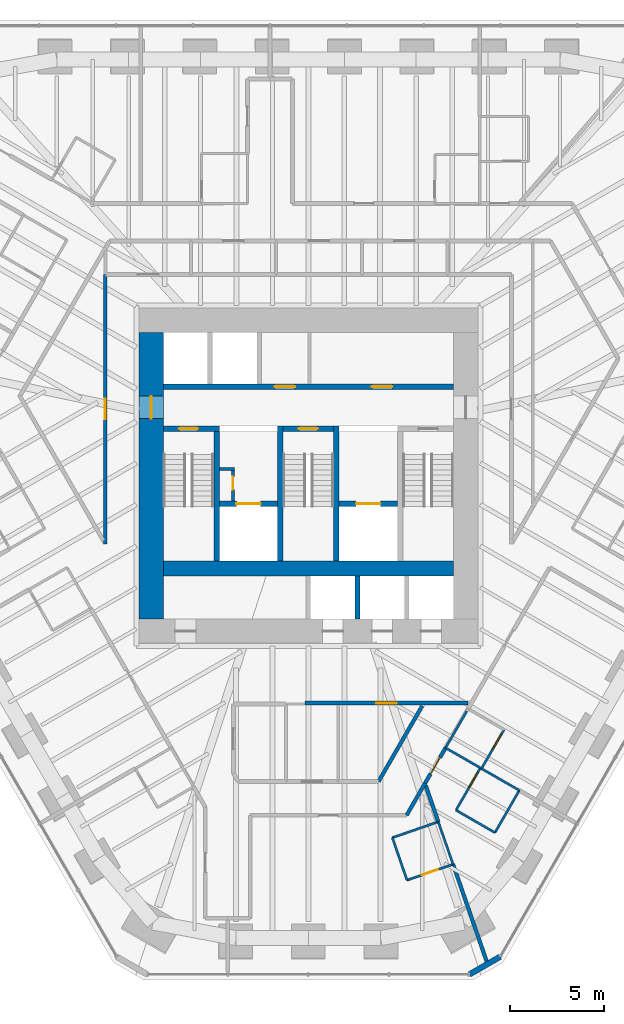
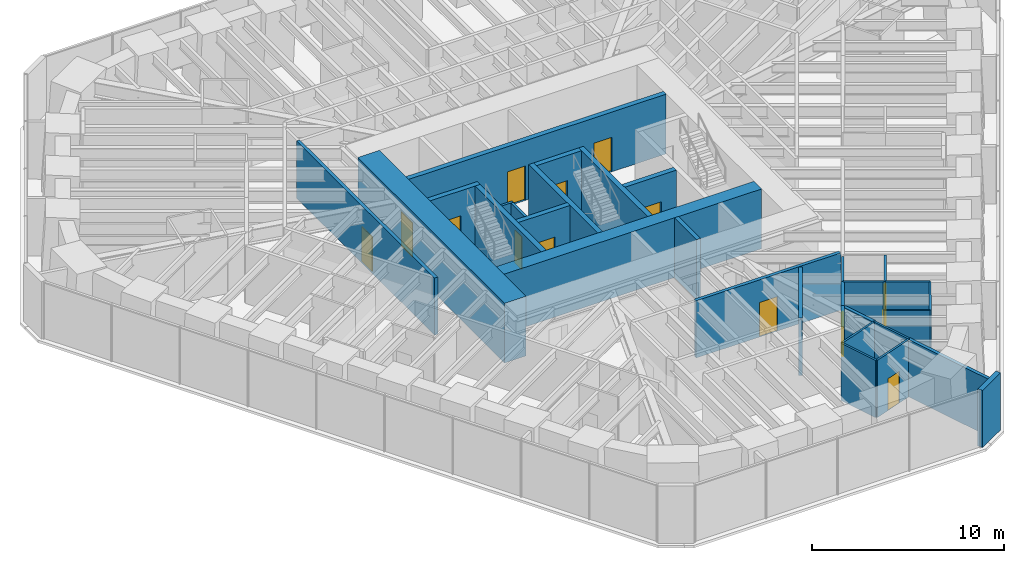
# One storey, part 12 of 18: 32 walls, 14 doors, 14 openings.
"""IFC4 building model written with IfcOpenShell, lengths in metres."""

from ifc_helpers import new_model, si_unit, direction, frame, frame_2d, origin, place, context, subcontext, project, spatial, rectangle, extrude, material, layer, layer_set, type_object, element, fill, save


model = new_model("IFC4")

# Units and contexts
model_context = context("Model", 3, precision=1e-05, world=origin(), true_north=direction((0.0, 1.0)))
body_context = subcontext(model_context, "Body", "Model", "MODEL_VIEW")
ifc_project = project(units=[si_unit("LENGTHUNIT", "METRE"), si_unit("AREAUNIT", "SQUARE_METRE"), si_unit("VOLUMEUNIT", "CUBIC_METRE"), si_unit("PLANEANGLEUNIT", "RADIAN"), si_unit("MASSUNIT", "GRAM", prefix="KILO")], contexts=[model_context])

# Site, building, storey
site_placement = place(None, origin())
site = spatial("IfcSite", under=ifc_project, at=site_placement, CompositionType="ELEMENT")
building_placement = place(site_placement, origin())
building = spatial("IfcBuilding", under=site, at=building_placement, Name="Sandreach Pilgrim Tower", CompositionType="ELEMENT")
storey_placement = place(building_placement, frame((0.0, 0.0, 157.60009765625)))
storey = spatial("IfcBuildingStorey", under=building, at=storey_placement, Name="L39", CompositionType="ELEMENT", Elevation=157.60009765625)

# Wall
ifc_material_1 = material(Name="Moisture-resistant gypsum board on steel studs", Category="steel")
ifc_layer_1 = layer(ifc_material_1, 0.1201171875)
ifc_layer_set_1 = layer_set([ifc_layer_1], Name="Bathroom partition 120")
wall_type_1 = type_object("IfcWallType", Name="Bathroom partition 120", PredefinedType="PARTITIONING", material=ifc_layer_set_1)
wall_1_placement = place(storey_placement, frame((4.489990234375, -20.889892578125, 0.0), z_axis=(0.0, 0.0, 1.0), x_axis=(0.324971746724, -0.945723724896, 0.0)))
element("IfcWall", 1, at=wall_1_placement, inside=storey, type_object=wall_type_1, Name="Bathroom partition L39-088", PredefinedType="PARTITIONING", context=body_context, shape_type="SweptSolid", body=[
    extrude(rectangle(XDim=2.400390625, YDim=0.1201171875, at=frame_2d((1.2001953125, 0.0))), origin(), (0.0, 0.0, 1.0), 3.639892578125),
])

# Wall, opening, door
wall_2_placement = place(storey_placement, frame((5.27001953125, -23.159912109375, 0.0), z_axis=(0.0, 0.0, 1.0), x_axis=(0.945184415197, 0.326537013627, 0.0)))
wall_2 = element("IfcWall", 2, at=wall_2_placement, inside=storey, type_object=wall_type_1, Name="Bathroom partition L39-090", PredefinedType="PARTITIONING", context=body_context, shape_type="SweptSolid", body=[
    extrude(rectangle(XDim=2.6025390625, YDim=0.1201171875, at=frame_2d((1.30126953125, 0.0))), origin(), (0.0, 0.0, 1.0), 3.639892578125),
])
opening_1_placement = place(wall_2_placement, frame((0.85009765625, 0.0, 0.0)))
opening_1 = element("IfcOpeningElement", 3, at=opening_1_placement, cuts=wall_2, Name="Opening D09-10B", PredefinedType="OPENING", context=body_context, shape_type="SweptSolid", body=[
    extrude(rectangle(XDim=0.89990234375, YDim=2.030029296875, at=frame_2d((0.449951171875, 1.01513671875))), frame((0.0, 0.06005859375, 0.0), z_axis=(0.0, -1.0, 0.0), x_axis=(1.0, 0.0, 0.0)), (0.0, 0.0, 1.0), 0.1201171875),
])
ifc_material_2 = material(Name="Timber door, steel frame", Category="steel")
door_type_1 = type_object("IfcDoorType", Name="Bathroom door", OperationType="SINGLE_SWING_LEFT", PredefinedType="DOOR", material=ifc_material_2)
door_1_placement = place(opening_1_placement, origin())
door_1 = element("IfcDoor", 4, at=door_1_placement, inside=storey, type_object=door_type_1, Name="Door 3910B", OperationType="SINGLE_SWING_LEFT", OverallHeight=2.030029296875, OverallWidth=0.89990234375, PredefinedType="DOOR", context=body_context, shape_type="SweptSolid", body=[
    extrude(rectangle(XDim=0.89990234375, YDim=2.030029296875, at=frame_2d((0.449951171875, 1.01513671875))), frame((0.0, 0.02490234375, 0.0), z_axis=(0.0, -1.0, 0.0), x_axis=(1.0, 0.0, 0.0)), (0.0, 0.0, 1.0), 0.050048828125),
])
fill(opening_1, door_1)

# Walls
wall_3_placement = place(storey_placement, frame((6.93994140625, -20.0400390625, 0.0), z_axis=(0.0, 0.0, 1.0), x_axis=(-0.944772080486, -0.327728112822, 0.0)))
element("IfcWall", 5, at=wall_3_placement, inside=storey, type_object=wall_type_1, Name="Bathroom partition L39-096", PredefinedType="PARTITIONING", context=body_context, shape_type="SweptSolid", body=[
    extrude(rectangle(XDim=2.59326171875, YDim=0.1201171875, at=frame_2d((1.296630859375, 0.0))), origin(), (0.0, 0.0, 1.0), 3.639892578125),
])
wall_4_placement = place(storey_placement, frame((6.93994140625, -20.0400390625, 0.0), z_axis=(0.0, 0.0, 1.0), x_axis=(0.328693963496, -0.944436487203, 0.0)))
element("IfcWall", 6, at=wall_4_placement, inside=storey, type_object=wall_type_1, Name="Bathroom partition L39-097", PredefinedType="PARTITIONING", context=body_context, shape_type="SweptSolid", body=[
    extrude(rectangle(XDim=2.403564453125, YDim=0.1201171875, at=frame_2d((1.20166015625, 0.0))), origin(), (0.0, 0.0, 1.0), 3.639892578125),
])
wall_5_placement = place(storey_placement, frame((7.330078125, -16.090087890625, 0.0), z_axis=(0.0, 0.0, 1.0), x_axis=(0.500786797394, 0.865570669302, 0.0)))
element("IfcWall", 7, at=wall_5_placement, inside=storey, type_object=wall_type_1, Name="Bathroom partition L39-098", PredefinedType="PARTITIONING", context=body_context, shape_type="SweptSolid", body=[
    extrude(rectangle(XDim=2.276123046875, YDim=0.1201171875, at=frame_2d((1.13818359375, 0.0))), origin(), (0.0, 0.0, 1.0), 3.639892578125),
])
wall_6_placement = place(storey_placement, frame((7.330078125, -16.090087890625, 0.0), z_axis=(0.0, 0.0, 1.0), x_axis=(0.866825160608, -0.498612214989, 0.0)))
element("IfcWall", 8, at=wall_6_placement, inside=storey, type_object=wall_type_1, Name="Bathroom partition L39-099", PredefinedType="PARTITIONING", context=body_context, shape_type="SweptSolid", body=[
    extrude(rectangle(XDim=2.1455078125, YDim=0.1201171875, at=frame_2d((1.07275390625, 0.0))), origin(), (0.0, 0.0, 1.0), 3.639892578125),
])
wall_7_placement = place(storey_placement, frame((7.889892578125, -19.419921875, 0.0), z_axis=(0.0, 0.0, 1.0), x_axis=(0.866202511239, -0.499693115345, 0.0)))
element("IfcWall", 9, at=wall_7_placement, inside=storey, type_object=wall_type_1, Name="Bathroom partition L39-104", PredefinedType="PARTITIONING", context=body_context, shape_type="SweptSolid", body=[
    extrude(rectangle(XDim=2.4013671875, YDim=0.1201171875, at=frame_2d((1.20068359375, 0.0))), origin(), (0.0, 0.0, 1.0), 3.639892578125),
])

# Wall, opening, door
wall_8_placement = place(storey_placement, frame((9.18994140625, -17.159912109375, 0.0), z_axis=(0.0, 0.0, 1.0), x_axis=(-0.498627694264, -0.866816256489, 0.0)))
wall_8 = element("IfcWall", 10, at=wall_8_placement, inside=storey, type_object=wall_type_1, Name="Bathroom partition L39-115", PredefinedType="PARTITIONING", context=body_context, shape_type="SweptSolid", body=[
    extrude(rectangle(XDim=2.607177734375, YDim=0.1201171875, at=frame_2d((1.3037109375, 0.0))), origin(), (0.0, 0.0, 1.0), 3.639892578125),
])
opening_2_placement = place(wall_8_placement, frame((0.300048828125, 0.0, 0.0)))
opening_2 = element("IfcOpeningElement", 11, at=opening_2_placement, cuts=wall_8, Name="Opening D09-09B", PredefinedType="OPENING", context=body_context, shape_type="SweptSolid", body=[
    extrude(rectangle(XDim=0.89990234375, YDim=2.030029296875, at=frame_2d((0.449951171875, 1.01513671875))), frame((0.0, 0.06005859375, 0.0), z_axis=(0.0, -1.0, 0.0), x_axis=(1.0, 0.0, 0.0)), (0.0, 0.0, 1.0), 0.1201171875),
])
door_2_placement = place(opening_2_placement, origin())
door_2 = element("IfcDoor", 12, at=door_2_placement, inside=storey, type_object=door_type_1, Name="Door 3909B", OperationType="SINGLE_SWING_LEFT", OverallHeight=2.030029296875, OverallWidth=0.89990234375, PredefinedType="DOOR", context=body_context, shape_type="SweptSolid", body=[
    extrude(rectangle(XDim=0.89990234375, YDim=2.030029296875, at=frame_2d((0.449951171875, 1.01513671875))), frame((0.0, 0.02490234375, 0.0), z_axis=(0.0, -1.0, 0.0), x_axis=(1.0, 0.0, 0.0)), (0.0, 0.0, 1.0), 0.050048828125),
])
fill(opening_2, door_2)

wall_9_placement = place(storey_placement, frame((9.25, -17.199951171875, 0.0), z_axis=(0.0, 0.0, 1.0), x_axis=(0.499737123639, 0.866177122335, 0.0)))
wall_9 = element("IfcWall", 13, at=wall_9_placement, inside=storey, type_object=wall_type_1, Name="Bathroom partition L39-116", PredefinedType="PARTITIONING", context=body_context, shape_type="SweptSolid", body=[
    extrude(rectangle(XDim=2.401123046875, YDim=0.1201171875, at=frame_2d((1.20068359375, 0.0))), origin(), (0.0, 0.0, 1.0), 3.639892578125),
])
opening_3_placement = place(wall_9_placement, frame((1.201416015625, 0.0, 0.0)))
opening_3 = element("IfcOpeningElement", 14, at=opening_3_placement, cuts=wall_9, Name="Opening D09-08B", PredefinedType="OPENING", context=body_context, shape_type="SweptSolid", body=[
    extrude(rectangle(XDim=0.89990234375, YDim=2.030029296875, at=frame_2d((0.449951171875, 1.01513671875))), frame((0.0, 0.06005859375, 0.0), z_axis=(0.0, -1.0, 0.0), x_axis=(1.0, 0.0, 0.0)), (0.0, 0.0, 1.0), 0.1201171875),
])
door_3_placement = place(opening_3_placement, origin())
door_3 = element("IfcDoor", 15, at=door_3_placement, inside=storey, type_object=door_type_1, Name="Door 3908B", OperationType="SINGLE_SWING_RIGHT", OverallHeight=2.030029296875, OverallWidth=0.89990234375, PredefinedType="DOOR", context=body_context, shape_type="SweptSolid", body=[
    extrude(rectangle(XDim=0.89990234375, YDim=2.030029296875, at=frame_2d((0.449951171875, 1.01513671875))), frame((0.0, 0.02490234375, 0.0), z_axis=(0.0, -1.0, 0.0), x_axis=(1.0, 0.0, 0.0)), (0.0, 0.0, 1.0), 0.050048828125),
])
fill(opening_3, door_3)

# Walls
wall_10_placement = place(storey_placement, frame((9.25, -17.199951171875, 0.0), z_axis=(0.0, 0.0, 1.0), x_axis=(0.867157547908, -0.498033921641, 0.0)))
element("IfcWall", 16, at=wall_10_placement, inside=storey, type_object=wall_type_1, Name="Bathroom partition L39-117", PredefinedType="PARTITIONING", context=body_context, shape_type="SweptSolid", body=[
    extrude(rectangle(XDim=2.32958984375, YDim=0.1201171875, at=frame_2d((1.164794921875, 0.0))), origin(), (0.0, 0.0, 1.0), 3.639892578125),
])
wall_11_placement = place(storey_placement, frame((9.969970703125, -20.6201171875, 0.0), z_axis=(0.0, 0.0, 1.0), x_axis=(0.498627694264, 0.866816256489, 0.0)))
element("IfcWall", 17, at=wall_11_placement, inside=storey, type_object=wall_type_1, Name="Bathroom partition L39-118", PredefinedType="PARTITIONING", context=body_context, shape_type="SweptSolid", body=[
    extrude(rectangle(XDim=2.607177734375, YDim=0.1201171875, at=frame_2d((1.3037109375, 0.0))), origin(), (0.0, 0.0, 1.0), 3.639892578125),
])
ifc_material_3 = material(Name="Concrete 10000 psi", Category="concrete")
ifc_layer_2 = layer(ifc_material_3, 0.300048828125)
ifc_layer_set_2 = layer_set([ifc_layer_2], Name="Core inner wall 300")
wall_type_2 = type_object("IfcWallType", Name="Core inner wall 300", PredefinedType="SHEAR", material=ifc_layer_set_2)
for number, where, z_axis, x_axis, name in (
    (18, (-4.89990234375, -6.10009765625, 0.0), (0.0, 0.0, 1.0), (0.0, 1.0, 0.0), "Core wall I0 L39"),
    (19, (-1.5, -6.10009765625, 0.0), (0.0, 0.0, 1.0), (0.0, 1.0, 0.0), "Core wall I1 L39"),
    (20, (1.5, -6.10009765625, 0.0), (0.0, 0.0, 1.0), (0.0, 1.0, 0.0), "Core wall I2 L39"),
):
    element("IfcWall", number, at=place(storey_placement, frame(where, z_axis=z_axis, x_axis=x_axis)), inside=storey, type_object=wall_type_2, Name=name, PredefinedType="SHEAR", context=body_context, shape_type="SweptSolid", body=[
        extrude(rectangle(XDim=7.2001953125, YDim=0.300048828125, at=frame_2d((3.60009765625, 0.0))), origin(), (0.0, 0.0, 1.0), 3.7998046875),
    ])

# Wall, opening, door
wall_12_placement = place(storey_placement, frame((-7.75, 0.949951171875, 0.0), z_axis=(0.0, 0.0, 1.0), x_axis=(1.0, 0.0, 0.0)))
wall_12 = element("IfcWall", 21, at=wall_12_placement, inside=storey, type_object=wall_type_2, Name="Core wall SN1 L39", PredefinedType="SHEAR", context=body_context, shape_type="SweptSolid", body=[
    extrude(rectangle(XDim=3.0, YDim=0.300048828125, at=frame_2d((1.5, 0.0))), origin(), (0.0, 0.0, 1.0), 3.7998046875),
])
opening_4_placement = place(wall_12_placement, frame((0.85009765625, 0.0, 0.0)))
opening_4 = element("IfcOpeningElement", 22, at=opening_4_placement, cuts=wall_12, Name="Opening D10S-ST1", PredefinedType="OPENING", context=body_context, shape_type="SweptSolid", body=[
    extrude(rectangle(XDim=1.0, YDim=2.199951171875, at=frame_2d((0.5, 1.10009765625))), frame((0.0, 0.14990234375, 0.0), z_axis=(0.0, -1.0, 0.0), x_axis=(1.0, 0.0, 0.0)), (0.0, 0.0, 1.0), 0.300048828125),
])
ifc_material_4 = material(Name="Steel door and frame", Category="steel")
door_type_2 = type_object("IfcDoorType", Name="Stair door", OperationType="SINGLE_SWING_LEFT", PredefinedType="DOOR", material=ifc_material_4)
door_4_placement = place(opening_4_placement, origin())
door_4 = element("IfcDoor", 23, at=door_4_placement, inside=storey, type_object=door_type_2, Name="Stair door ST1 L39", OperationType="SINGLE_SWING_LEFT", OverallHeight=2.199951171875, OverallWidth=1.0, PredefinedType="DOOR", context=body_context, shape_type="SweptSolid", body=[
    extrude(rectangle(XDim=1.0, YDim=2.199951171875, at=frame_2d((0.5, 1.10009765625))), frame((0.0, 0.02490234375, 0.0), z_axis=(0.0, -1.0, 0.0), x_axis=(1.0, 0.0, 0.0)), (0.0, 0.0, 1.0), 0.050048828125),
])
fill(opening_4, door_4)

wall_13_placement = place(storey_placement, frame((-1.35009765625, 0.949951171875, 0.0), z_axis=(0.0, 0.0, 1.0), x_axis=(1.0, 0.0, 0.0)))
wall_13 = element("IfcWall", 24, at=wall_13_placement, inside=storey, type_object=wall_type_2, Name="Core wall SN3 L39", PredefinedType="SHEAR", context=body_context, shape_type="SweptSolid", body=[
    extrude(rectangle(XDim=2.7001953125, YDim=0.300048828125, at=frame_2d((1.35009765625, 0.0))), origin(), (0.0, 0.0, 1.0), 3.7998046875),
])
opening_5_placement = place(wall_13_placement, frame((0.85009765625, 0.0, 0.0)))
opening_5 = element("IfcOpeningElement", 25, at=opening_5_placement, cuts=wall_13, Name="Opening D10S-ST3", PredefinedType="OPENING", context=body_context, shape_type="SweptSolid", body=[
    extrude(rectangle(XDim=1.0, YDim=2.199951171875, at=frame_2d((0.5, 1.10009765625))), frame((0.0, 0.14990234375, 0.0), z_axis=(0.0, -1.0, 0.0), x_axis=(1.0, 0.0, 0.0)), (0.0, 0.0, 1.0), 0.300048828125),
])
door_5_placement = place(opening_5_placement, origin())
door_5 = element("IfcDoor", 26, at=door_5_placement, inside=storey, type_object=door_type_2, Name="Stair door ST3 L39", OperationType="SINGLE_SWING_LEFT", OverallHeight=2.199951171875, OverallWidth=1.0, PredefinedType="DOOR", context=body_context, shape_type="SweptSolid", body=[
    extrude(rectangle(XDim=1.0, YDim=2.199951171875, at=frame_2d((0.5, 1.10009765625))), frame((0.0, 0.02490234375, 0.0), z_axis=(0.0, -1.0, 0.0), x_axis=(1.0, 0.0, 0.0)), (0.0, 0.0, 1.0), 0.050048828125),
])
fill(opening_5, door_5)

wall_14_placement = place(storey_placement, frame((-4.75, -3.050048828125, 0.0), z_axis=(0.0, 0.0, 1.0), x_axis=(1.0, 0.0, 0.0)))
wall_14 = element("IfcWall", 27, at=wall_14_placement, inside=storey, type_object=wall_type_2, Name="Core wall FL1 L39", PredefinedType="SHEAR", context=body_context, shape_type="SweptSolid", body=[
    extrude(rectangle(XDim=3.10009765625, YDim=0.300048828125, at=frame_2d((1.550048828125, 0.0))), origin(), (0.0, 0.0, 1.0), 3.7998046875),
])
opening_6_placement = place(wall_14_placement, frame((0.89990234375, 0.0, 0.0)))
opening_6 = element("IfcOpeningElement", 28, at=opening_6_placement, cuts=wall_14, Name="Opening LD13", PredefinedType="OPENING", context=body_context, shape_type="SweptSolid", body=[
    extrude(rectangle(XDim=1.300048828125, YDim=2.10009765625, at=frame_2d((0.64990234375, 1.050048828125))), frame((0.0, 0.14990234375, 0.0), z_axis=(0.0, -1.0, 0.0), x_axis=(1.0, 0.0, 0.0)), (0.0, 0.0, 1.0), 0.300048828125),
])
ifc_material_5 = material(Name="Steel door and frame", Category="steel")
door_type_3 = type_object("IfcDoorType", Name="Fire service lift landing door", OperationType="DOUBLE_DOOR_SLIDING", PredefinedType="DOOR", material=ifc_material_5)
door_6_placement = place(opening_6_placement, origin())
door_6 = element("IfcDoor", 29, at=door_6_placement, inside=storey, type_object=door_type_3, Name="Lift landing door FS1 L39", OperationType="DOUBLE_DOOR_SLIDING", OverallHeight=2.10009765625, OverallWidth=1.300048828125, PredefinedType="DOOR", context=body_context, shape_type="SweptSolid", body=[
    extrude(rectangle(XDim=1.300048828125, YDim=2.10009765625, at=frame_2d((0.64990234375, 1.050048828125))), frame((0.0, 0.02490234375, 0.0), z_axis=(0.0, -1.0, 0.0), x_axis=(1.0, 0.0, 0.0)), (0.0, 0.0, 1.0), 0.050048828125),
])
fill(opening_6, door_6)

wall_15_placement = place(storey_placement, frame((1.64990234375, -3.050048828125, 0.0), z_axis=(0.0, 0.0, 1.0), x_axis=(1.0, 0.0, 0.0)))
wall_15 = element("IfcWall", 30, at=wall_15_placement, inside=storey, type_object=wall_type_2, Name="Core wall FL2 L39", PredefinedType="SHEAR", context=body_context, shape_type="SweptSolid", body=[
    extrude(rectangle(XDim=3.10009765625, YDim=0.300048828125, at=frame_2d((1.550048828125, 0.0))), origin(), (0.0, 0.0, 1.0), 3.7998046875),
])
opening_7_placement = place(wall_15_placement, frame((0.89990234375, 0.0, 0.0)))
opening_7 = element("IfcOpeningElement", 31, at=opening_7_placement, cuts=wall_15, Name="Opening LD13", PredefinedType="OPENING", context=body_context, shape_type="SweptSolid", body=[
    extrude(rectangle(XDim=1.300048828125, YDim=2.10009765625, at=frame_2d((0.64990234375, 1.050048828125))), frame((0.0, 0.14990234375, 0.0), z_axis=(0.0, -1.0, 0.0), x_axis=(1.0, 0.0, 0.0)), (0.0, 0.0, 1.0), 0.300048828125),
])
door_7_placement = place(opening_7_placement, origin())
door_7 = element("IfcDoor", 32, at=door_7_placement, inside=storey, type_object=door_type_3, Name="Lift landing door FS2 L39", OperationType="DOUBLE_DOOR_SLIDING", OverallHeight=2.10009765625, OverallWidth=1.300048828125, PredefinedType="DOOR", context=body_context, shape_type="SweptSolid", body=[
    extrude(rectangle(XDim=1.300048828125, YDim=2.10009765625, at=frame_2d((0.64990234375, 1.050048828125))), frame((0.0, 0.02490234375, 0.0), z_axis=(0.0, -1.0, 0.0), x_axis=(1.0, 0.0, 0.0)), (0.0, 0.0, 1.0), 0.050048828125),
])
fill(opening_7, door_7)

# Wall, openings, doors
wall_16_placement = place(storey_placement, frame((-7.75, 3.199951171875, 0.0), z_axis=(0.0, 0.0, 1.0), x_axis=(1.0, 0.0, 0.0)))
wall_16 = element("IfcWall", 33, at=wall_16_placement, inside=storey, type_object=wall_type_2, Name="Core wall PN L39", PredefinedType="SHEAR", context=body_context, shape_type="SweptSolid", body=[
    extrude(rectangle(XDim=15.5, YDim=0.300048828125, at=frame_2d((7.75, 0.0))), origin(), (0.0, 0.0, 1.0), 3.7998046875),
])
opening_8_placement = place(wall_16_placement, frame((5.94384765625, 0.0, 0.0)))
opening_8 = element("IfcOpeningElement", 34, at=opening_8_placement, cuts=wall_16, Name="Opening D11L", PredefinedType="OPENING", context=body_context, shape_type="SweptSolid", body=[
    extrude(rectangle(XDim=1.10009765625, YDim=2.199951171875, at=frame_2d((0.550048828125, 1.10009765625))), frame((0.0, 0.14990234375, 0.0), z_axis=(0.0, -1.0, 0.0), x_axis=(1.0, 0.0, 0.0)), (0.0, 0.0, 1.0), 0.300048828125),
])
opening_9_placement = place(wall_16_placement, frame((11.143798828125, 0.0, 0.0)))
opening_9 = element("IfcOpeningElement", 35, at=opening_9_placement, cuts=wall_16, Name="Opening D11L", PredefinedType="OPENING", context=body_context, shape_type="SweptSolid", body=[
    extrude(rectangle(XDim=1.10009765625, YDim=2.199951171875, at=frame_2d((0.550048828125, 1.10009765625))), frame((0.0, 0.14990234375, 0.0), z_axis=(0.0, -1.0, 0.0), x_axis=(1.0, 0.0, 0.0)), (0.0, 0.0, 1.0), 0.300048828125),
])
ifc_material_6 = material(Name="Steel door and frame, smoke seals", Category="steel")
door_type_4 = type_object("IfcDoorType", Name="Core room door", OperationType="SINGLE_SWING_LEFT", PredefinedType="DOOR", material=ifc_material_6)
door_8_placement = place(opening_8_placement, origin())
door_8 = element("IfcDoor", 36, at=door_8_placement, inside=storey, type_object=door_type_4, Name="Door linen and housekeeping store 39K1", OperationType="SINGLE_SWING_LEFT", OverallHeight=2.199951171875, OverallWidth=1.10009765625, PredefinedType="DOOR", context=body_context, shape_type="SweptSolid", body=[
    extrude(rectangle(XDim=1.10009765625, YDim=2.199951171875, at=frame_2d((0.550048828125, 1.10009765625))), frame((0.0, 0.02490234375, 0.0), z_axis=(0.0, -1.0, 0.0), x_axis=(1.0, 0.0, 0.0)), (0.0, 0.0, 1.0), 0.050048828125),
])
fill(opening_8, door_8)
door_9_placement = place(opening_9_placement, origin())
door_9 = element("IfcDoor", 37, at=door_9_placement, inside=storey, type_object=door_type_4, Name="Door cleaners store 39K2", OperationType="SINGLE_SWING_RIGHT", OverallHeight=2.199951171875, OverallWidth=1.10009765625, PredefinedType="DOOR", context=body_context, shape_type="SweptSolid", body=[
    extrude(rectangle(XDim=1.10009765625, YDim=2.199951171875, at=frame_2d((0.550048828125, 1.10009765625))), frame((0.0, 0.02490234375, 0.0), z_axis=(0.0, -1.0, 0.0), x_axis=(1.0, 0.0, 0.0)), (0.0, 0.0, 1.0), 0.050048828125),
])
fill(opening_9, door_9)

# Wall
ifc_material_7 = material(Name="Concrete 10000 psi", Category="concrete")
ifc_layer_3 = layer(ifc_material_7, 0.800048828125)
ifc_layer_set_3 = layer_set([ifc_layer_3], Name="Core mid wall 800")
wall_type_3 = type_object("IfcWallType", Name="Core mid wall 800", PredefinedType="SHEAR", material=ifc_layer_set_3)
wall_17_placement = place(storey_placement, frame((-7.75, -6.5, 0.0), z_axis=(0.0, 0.0, 1.0), x_axis=(1.0, 0.0, 0.0)))
element("IfcWall", 38, at=wall_17_placement, inside=storey, type_object=wall_type_3, Name="Core wall M L39", PredefinedType="SHEAR", context=body_context, shape_type="SweptSolid", body=[
    extrude(rectangle(XDim=15.5, YDim=0.800048828125, at=frame_2d((7.75, 0.0))), origin(), (0.0, 0.0, 1.0), 3.7998046875),
])

# Wall, opening, door
ifc_material_8 = material(Name="Concrete 10000 psi", Category="concrete")
ifc_layer_4 = layer(ifc_material_8, 1.300048828125)
ifc_layer_set_4 = layer_set([ifc_layer_4], Name="Core wall 1300")
wall_type_4 = type_object("IfcWallType", Name="Core wall 1300", PredefinedType="SHEAR", material=ifc_layer_set_4)
wall_18_placement = place(storey_placement, frame((-8.39990234375, -9.199951171875, 0.0), z_axis=(0.0, 0.0, 1.0), x_axis=(0.0, 1.0, 0.0)))
wall_18 = element("IfcWall", 39, at=wall_18_placement, inside=storey, type_object=wall_type_4, Name="Core wall W L39", PredefinedType="SHEAR", context=body_context, shape_type="SweptSolid", body=[
    extrude(rectangle(XDim=15.300048828125, YDim=1.300048828125, at=frame_2d((7.64990234375, 0.0))), origin(), (0.0, 0.0, 1.0), 3.7998046875),
])
opening_10_placement = place(wall_18_placement, frame((10.699951171875, 0.0, 0.0)))
opening_10 = element("IfcOpeningElement", 40, at=opening_10_placement, cuts=wall_18, Name="Opening D12F-W", PredefinedType="OPENING", context=body_context, shape_type="SweptSolid", body=[
    extrude(rectangle(XDim=1.199951171875, YDim=2.199951171875, at=frame_2d((0.60009765625, 1.10009765625))), frame((0.0, 0.64990234375, 0.0), z_axis=(0.0, -1.0, 0.0), x_axis=(1.0, 0.0, 0.0)), (0.0, 0.0, 1.0), 1.300048828125),
])
ifc_material_9 = material(Name="Steel door and frame", Category="steel")
door_type_5 = type_object("IfcDoorType", Name="Fire lobby door", OperationType="SINGLE_SWING_LEFT", PredefinedType="DOOR", material=ifc_material_9)
door_10_placement = place(opening_10_placement, origin())
door_10 = element("IfcDoor", 41, at=door_10_placement, inside=storey, type_object=door_type_5, Name="Fire service lobby door W L39", OperationType="SINGLE_SWING_RIGHT", OverallHeight=2.199951171875, OverallWidth=1.199951171875, PredefinedType="DOOR", context=body_context, shape_type="SweptSolid", body=[
    extrude(rectangle(XDim=1.199951171875, YDim=2.199951171875, at=frame_2d((0.60009765625, 1.10009765625))), frame((0.0, 0.02490234375, 0.0), z_axis=(0.0, -1.0, 0.0), x_axis=(1.0, 0.0, 0.0)), (0.0, 0.0, 1.0), 0.050048828125),
])
fill(opening_10, door_10)

ifc_material_10 = material(Name="Gypsum board on steel studs, two layers each side", Category="steel")
ifc_layer_5 = layer(ifc_material_10, 0.199951171875)
ifc_layer_set_5 = layer_set([ifc_layer_5], Name="Corridor wall 200")
wall_type_5 = type_object("IfcWallType", Name="Corridor wall 200", PredefinedType="PARTITIONING", material=ifc_layer_set_5)
wall_19_placement = place(storey_placement, frame((-10.85009765625, 9.199951171875, 0.0), z_axis=(0.0, 0.0, 1.0), x_axis=(0.0, -1.0, 0.0)))
wall_19 = element("IfcWall", 42, at=wall_19_placement, inside=storey, type_object=wall_type_5, Name="Corridor wall L39-042", PredefinedType="PARTITIONING", context=body_context, shape_type="SweptSolid", body=[
    extrude(rectangle(XDim=14.389892578125, YDim=0.199951171875, at=frame_2d((7.19482421875, 0.0))), origin(), (0.0, 0.0, 1.0), 3.639892578125),
])
opening_11_placement = place(wall_19_placement, frame((6.64501953125, 0.0, 0.0)))
opening_11 = element("IfcOpeningElement", 43, at=opening_11_placement, cuts=wall_19, Name="Opening D11H-M01", PredefinedType="OPENING", context=body_context, shape_type="SweptSolid", body=[
    extrude(rectangle(XDim=1.10009765625, YDim=2.199951171875, at=frame_2d((0.550048828125, 1.10009765625))), frame((0.0, 0.10009765625, 0.0), z_axis=(0.0, -1.0, 0.0), x_axis=(1.0, 0.0, 0.0)), (0.0, 0.0, 1.0), 0.199951171875),
])
ifc_material_11 = material(Name="Steel door and frame", Category="steel")
door_type_6 = type_object("IfcDoorType", Name="Back of house door", OperationType="SINGLE_SWING_LEFT", PredefinedType="DOOR", material=ifc_material_11)
door_11_placement = place(opening_11_placement, origin())
door_11 = element("IfcDoor", 44, at=door_11_placement, inside=storey, type_object=door_type_6, Name="Door 39M01", OperationType="SINGLE_SWING_LEFT", OverallHeight=2.199951171875, OverallWidth=1.10009765625, PredefinedType="DOOR", context=body_context, shape_type="SweptSolid", body=[
    extrude(rectangle(XDim=1.10009765625, YDim=2.199951171875, at=frame_2d((0.550048828125, 1.10009765625))), frame((0.0, 0.02490234375, 0.0), z_axis=(0.0, -1.0, 0.0), x_axis=(1.0, 0.0, 0.0)), (0.0, 0.0, 1.0), 0.050048828125),
])
fill(opening_11, door_11)

# Walls
wall_20_placement = place(storey_placement, frame((5.25, -19.68994140625, 0.0), z_axis=(0.0, 0.0, 1.0), x_axis=(0.499431599995, 0.866353321068, 0.0)))
element("IfcWall", 45, at=wall_20_placement, inside=storey, type_object=wall_type_5, Name="Corridor wall L39-089", PredefinedType="PARTITIONING", context=body_context, shape_type="SweptSolid", body=[
    extrude(rectangle(XDim=1.962158203125, YDim=0.199951171875, at=frame_2d((0.98095703125, 0.0))), origin(), (0.0, 0.0, 1.0), 3.639892578125),
])
wall_21_placement = place(storey_placement, frame((6.08251953125, -13.849609375, 0.0), z_axis=(0.0, 0.0, 1.0), x_axis=(-0.499977643516, -0.866038310922, 0.0)))
element("IfcWall", 46, at=wall_21_placement, inside=storey, type_object=wall_type_5, Name="Corridor wall L39-091", PredefinedType="PARTITIONING", context=body_context, shape_type="SweptSolid", body=[
    extrude(rectangle(XDim=4.665283203125, YDim=0.199951171875, at=frame_2d((2.33251953125, 0.0))), origin(), (0.0, 0.0, 1.0), 3.639892578125),
])

# Wall, opening, door
wall_22_placement = place(storey_placement, frame((6.22998046875, -17.989990234375, 0.0), z_axis=(0.0, 0.0, 1.0), x_axis=(0.501088872721, 0.865395829453, 0.0)))
wall_22 = element("IfcWall", 47, at=wall_22_placement, inside=storey, type_object=wall_type_5, Name="Corridor wall L39-092", PredefinedType="PARTITIONING", context=body_context, shape_type="SweptSolid", body=[
    extrude(rectangle(XDim=2.1953125, YDim=0.199951171875, at=frame_2d((1.09765625, 0.0))), origin(), (0.0, 0.0, 1.0), 3.639892578125),
])
opening_12_placement = place(wall_22_placement, frame((0.59765625, 0.0, 0.0)))
opening_12 = element("IfcOpeningElement", 48, at=opening_12_placement, cuts=wall_22, Name="Opening D10-09", PredefinedType="OPENING", context=body_context, shape_type="SweptSolid", body=[
    extrude(rectangle(XDim=1.0, YDim=2.1298828125, at=frame_2d((0.5, 1.06494140625))), frame((0.0, 0.10009765625, 0.0), z_axis=(0.0, -1.0, 0.0), x_axis=(1.0, 0.0, 0.0)), (0.0, 0.0, 1.0), 0.199951171875),
])
ifc_material_12 = material(Name="Steel door and frame", Category="steel")
door_type_7 = type_object("IfcDoorType", Name="Guest room entry door", OperationType="SINGLE_SWING_LEFT", PredefinedType="DOOR", material=ifc_material_12)
door_12_placement = place(opening_12_placement, origin())
door_12 = element("IfcDoor", 49, at=door_12_placement, inside=storey, type_object=door_type_7, Name="Door 3909", OperationType="SINGLE_SWING_LEFT", OverallHeight=2.1298828125, OverallWidth=1.0, PredefinedType="DOOR", context=body_context, shape_type="SweptSolid", body=[
    extrude(rectangle(XDim=1.0, YDim=2.1298828125, at=frame_2d((0.5, 1.06494140625))), frame((0.0, 0.02490234375, 0.0), z_axis=(0.0, -1.0, 0.0), x_axis=(1.0, 0.0, 0.0)), (0.0, 0.0, 1.0), 0.050048828125),
])
fill(opening_12, door_12)

wall_23_placement = place(storey_placement, frame((8.53369140625, -13.699951171875, 0.0), z_axis=(0.0, 0.0, 1.0), x_axis=(-1.0, 0.0, 0.0)))
wall_23 = element("IfcWall", 50, at=wall_23_placement, inside=storey, type_object=wall_type_5, Name="Corridor wall L39-107", PredefinedType="PARTITIONING", context=body_context, shape_type="SweptSolid", body=[
    extrude(rectangle(XDim=8.70361328125, YDim=0.199951171875, at=frame_2d((4.351806640625, 0.0))), origin(), (0.0, 0.0, 1.0), 3.639892578125),
])
opening_13_placement = place(wall_23_placement, frame((3.8017578125, 0.0, 0.0)))
opening_13 = element("IfcOpeningElement", 51, at=opening_13_placement, cuts=wall_23, Name="Opening D11H-S4", PredefinedType="OPENING", context=body_context, shape_type="SweptSolid", body=[
    extrude(rectangle(XDim=1.10009765625, YDim=2.199951171875, at=frame_2d((0.550048828125, 1.10009765625))), frame((0.0, 0.10009765625, 0.0), z_axis=(0.0, -1.0, 0.0), x_axis=(1.0, 0.0, 0.0)), (0.0, 0.0, 1.0), 0.199951171875),
])
door_13_placement = place(opening_13_placement, origin())
door_13 = element("IfcDoor", 52, at=door_13_placement, inside=storey, type_object=door_type_6, Name="Door 39S4", OperationType="SINGLE_SWING_LEFT", OverallHeight=2.199951171875, OverallWidth=1.10009765625, PredefinedType="DOOR", context=body_context, shape_type="SweptSolid", body=[
    extrude(rectangle(XDim=1.10009765625, YDim=2.199951171875, at=frame_2d((0.550048828125, 1.10009765625))), frame((0.0, 0.02490234375, 0.0), z_axis=(0.0, -1.0, 0.0), x_axis=(1.0, 0.0, 0.0)), (0.0, 0.0, 1.0), 0.050048828125),
])
fill(opening_13, door_13)

# Walls
ifc_material_13 = material(Name="Double steel stud acoustic wall, gypsum board", Category="steel")
ifc_layer_6 = layer(ifc_material_13, 0.199951171875)
ifc_layer_set_6 = layer_set([ifc_layer_6], Name="Party wall 200")
wall_type_6 = type_object("IfcWallType", Name="Party wall 200", PredefinedType="PARTITIONING", material=ifc_layer_set_6)
wall_24_placement = place(storey_placement, frame((6.267578125, -18.0986328125, 0.0), z_axis=(0.0, 0.0, 1.0), x_axis=(0.327257488288, -0.944935202202, 0.0)))
element("IfcWall", 53, at=wall_24_placement, inside=storey, type_object=wall_type_6, Name="Party wall L39-093", PredefinedType="PARTITIONING", context=body_context, shape_type="SweptSolid", body=[
    extrude(rectangle(XDim=2.054443359375, YDim=0.199951171875, at=frame_2d((1.02734375, 0.0))), origin(), (0.0, 0.0, 1.0), 3.639892578125),
])
wall_25_placement = place(storey_placement, frame((7.72998046875, -22.31005859375, 0.0), z_axis=(0.0, 0.0, 1.0), x_axis=(0.327284111977, -0.944925981253, 0.0)))
element("IfcWall", 54, at=wall_25_placement, inside=storey, type_object=wall_type_6, Name="Party wall L39-103", PredefinedType="PARTITIONING", context=body_context, shape_type="SweptSolid", body=[
    extrude(rectangle(XDim=5.65283203125, YDim=0.199951171875, at=frame_2d((2.826416015625, 0.0))), origin(), (0.0, 0.0, 1.0), 3.639892578125),
])

# Wall, opening, door
ifc_material_14 = material(Name="Gypsum shaft wall on steel studs, shaft liner board", Category="steel")
ifc_layer_7 = layer(ifc_material_14, 0.14990234375)
ifc_layer_set_7 = layer_set([ifc_layer_7], Name="Riser shaft wall 150")
wall_type_7 = type_object("IfcWallType", Name="Riser shaft wall 150", PredefinedType="PARTITIONING", material=ifc_layer_set_7)
wall_26_placement = place(storey_placement, frame((-4.02490234375, -2.89990234375, 0.0), z_axis=(0.0, 0.0, 1.0), x_axis=(0.0, 1.0, 0.0)))
wall_26 = element("IfcWall", 55, at=wall_26_placement, inside=storey, type_object=wall_type_7, Name="Riser partition L39 side", PredefinedType="PARTITIONING", context=body_context, shape_type="SweptSolid", body=[
    extrude(rectangle(XDim=1.77490234375, YDim=0.14990234375, at=frame_2d((0.887451171875, 0.0))), origin(), (0.0, 0.0, 1.0), 3.639892578125),
])
opening_14_placement = place(wall_26_placement, frame((0.60009765625, 0.0, 0.0)))
opening_14 = element("IfcOpeningElement", 56, at=opening_14_placement, cuts=wall_26, Name="Opening D07R", PredefinedType="OPENING", context=body_context, shape_type="SweptSolid", body=[
    extrude(rectangle(XDim=0.699951171875, YDim=2.10009765625, at=frame_2d((0.35009765625, 1.050048828125))), frame((0.0, 0.074951171875, 0.0), z_axis=(0.0, -1.0, 0.0), x_axis=(1.0, 0.0, 0.0)), (0.0, 0.0, 1.0), 0.14990234375),
])
ifc_material_15 = material(Name="Steel door and frame, smoke seals", Category="steel")
door_type_8 = type_object("IfcDoorType", Name="Riser access door", OperationType="SINGLE_SWING_RIGHT", PredefinedType="DOOR", material=ifc_material_15)
door_14_placement = place(opening_14_placement, origin())
door_14 = element("IfcDoor", 57, at=door_14_placement, inside=storey, type_object=door_type_8, Name="Door riser 39ER", OperationType="SINGLE_SWING_RIGHT", OverallHeight=2.10009765625, OverallWidth=0.699951171875, PredefinedType="DOOR", context=body_context, shape_type="SweptSolid", body=[
    extrude(rectangle(XDim=0.699951171875, YDim=2.10009765625, at=frame_2d((0.35009765625, 1.050048828125))), frame((0.0, 0.02490234375, 0.0), z_axis=(0.0, -1.0, 0.0), x_axis=(1.0, 0.0, 0.0)), (0.0, 0.0, 1.0), 0.050048828125),
])
fill(opening_14, door_14)

# Walls
wall_27_placement = place(storey_placement, frame((-4.75, -1.199951171875, 0.0), z_axis=(0.0, 0.0, 1.0), x_axis=(1.0, 0.0, 0.0)))
element("IfcWall", 58, at=wall_27_placement, inside=storey, type_object=wall_type_7, Name="Riser partition L39 front", PredefinedType="PARTITIONING", context=body_context, shape_type="SweptSolid", body=[
    extrude(rectangle(XDim=0.800048828125, YDim=0.14990234375, at=frame_2d((0.39990234375, 0.0))), origin(), (0.0, 0.0, 1.0), 3.639892578125),
])
ifc_material_16 = material(Name="Gypsum shaft wall on steel studs, two layers of shaft liner board", Category="steel")
ifc_layer_8 = layer(ifc_material_16, 0.25)
ifc_layer_set_8 = layer_set([ifc_layer_8], Name="Shaft partition 250")
wall_type_8 = type_object("IfcWallType", Name="Shaft partition 250", PredefinedType="PARTITIONING", material=ifc_layer_set_8)
wall_28_placement = place(storey_placement, frame((2.625, -9.199951171875, 0.0), z_axis=(0.0, 0.0, 1.0), x_axis=(0.0, 1.0, 0.0)))
element("IfcWall", 59, at=wall_28_placement, inside=storey, type_object=wall_type_8, Name="Shaft partition XS3 L39", PredefinedType="PARTITIONING", context=body_context, shape_type="SweptSolid", body=[
    extrude(rectangle(XDim=2.300048828125, YDim=0.25, at=frame_2d((1.14990234375, 0.0))), origin(), (0.0, 0.0, 1.0), 3.7998046875),
])
ifc_material_17 = material(Name="Terracotta rainscreen on concrete", Category="masonry")
ifc_layer_9 = layer(ifc_material_17, 0.300048828125)
ifc_layer_set_9 = layer_set([ifc_layer_9], Name="Terracotta chamfer pier")
wall_type_9 = type_object("IfcWallType", Name="Terracotta chamfer pier", PredefinedType="SOLIDWALL", material=ifc_layer_set_9)
wall_29_placement = place(storey_placement, frame((10.239501953125, -27.252197265625, 0.0), z_axis=(0.0, 0.0, 1.0), x_axis=(-0.866045024864, -0.499966013754, 0.0)))
element("IfcWall", 60, at=wall_29_placement, inside=storey, type_object=wall_type_9, Name="Chamfer pier L39 SE", PredefinedType="SOLIDWALL", context=body_context, shape_type="SweptSolid", body=[
    extrude(rectangle(XDim=1.880126953125, YDim=0.300048828125, at=frame_2d((0.93994140625, 0.0))), origin(), (0.0, 0.0, 1.0), 3.639892578125),
])

save(model, "model.ifc")
